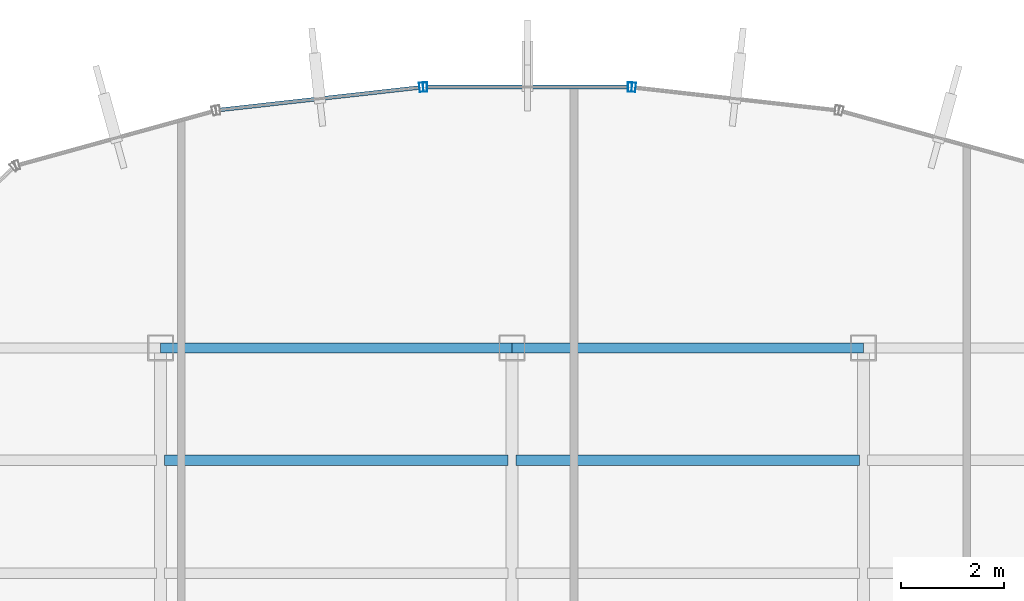
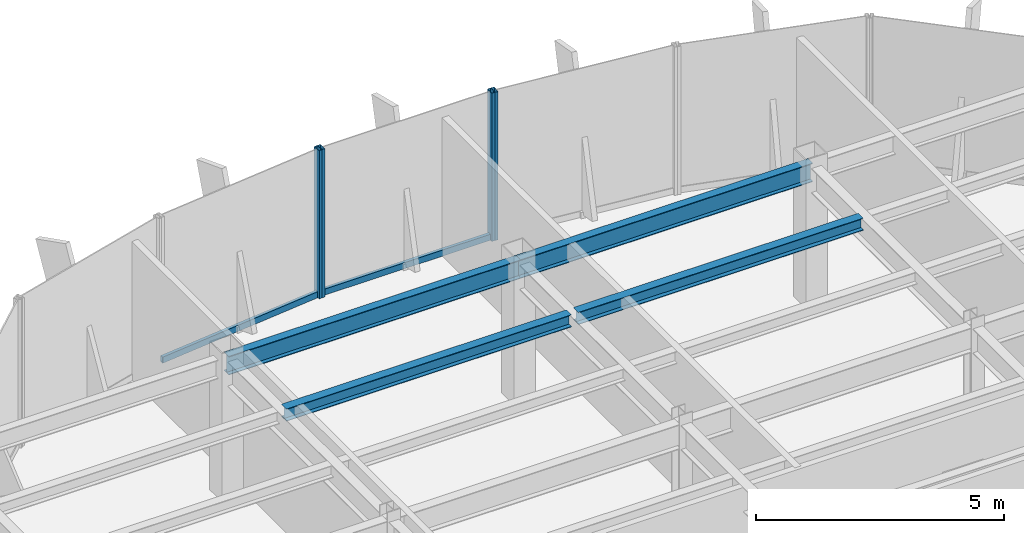
# One storey, part 13 of 22: 6 members, 4 beams, 3 elements without a shape of their own.
"""IFC4 building model written with IfcOpenShell, lengths in metres."""

from ifc_helpers import new_model, si_unit, derived_unit, direction, frame, origin, origin_2d, place, context, subcontext, project, spatial, hollow_rectangle, i_section, extrude, source, transform, mapped, material, material_profile, profile_set, type_object, element, aggregate, save


model = new_model("IFC4")

# Units and contexts
model_context = context("Model", 3, precision=1e-05, world=origin(), true_north=direction((0.0, 1.0)))
body_context = subcontext(model_context, "Body", "Model", "MODEL_VIEW")
ifc_project = project(units=[si_unit("LENGTHUNIT", "METRE"), si_unit("AREAUNIT", "SQUARE_METRE"), si_unit("VOLUMEUNIT", "CUBIC_METRE"), si_unit("PLANEANGLEUNIT", "RADIAN"), si_unit("MASSUNIT", "GRAM", prefix="KILO"), derived_unit("THERMALTRANSMITTANCEUNIT", [(si_unit("POWERUNIT", "WATT"), 1), (si_unit("LENGTHUNIT", "METRE"), -2), (si_unit("THERMODYNAMICTEMPERATUREUNIT", "KELVIN"), -1)])], contexts=[model_context])

# Site, building, storey
site_placement = place(None, origin())
site = spatial("IfcSite", under=ifc_project, at=site_placement, CompositionType="ELEMENT")
building_placement = place(site_placement, origin())
building = spatial("IfcBuilding", under=site, at=building_placement, Name="Skarnbrae Concourse Arena and Tower", CompositionType="ELEMENT")
storey_placement = place(building_placement, frame((0.0, 0.0, 273.39990234375)))
storey = spatial("IfcBuildingStorey", under=building, at=storey_placement, Name="L71", CompositionType="ELEMENT", Elevation=273.39990234375)

# Beams
ifc_material_1 = material(Name="Steel CSA G40.21 350W", Category="steel")
ifc_material_profile_1 = material_profile(ifc_material_1, i_section(OverallWidth=0.19091796875, OverallDepth=0.4599609375, WebThickness=0.010009765625, FlangeThickness=0.01611328125, at=origin_2d()), Name="W460X82")
ifc_profile_set_1 = profile_set([ifc_material_profile_1], Name="Steel CSA G40.21 350W")
beam_type_1 = type_object("IfcBeamType", Name="BM-SPAN-W460X82", PredefinedType="SPANDREL", material=ifc_profile_set_1)
shared_shape_1 = source(origin(), body_context, "Body", "SweptSolid", [
    extrude(i_section(OverallWidth=0.19091796875, OverallDepth=0.4599609375, WebThickness=0.010009765625, FlangeThickness=0.01611328125, at=origin_2d()), origin(), (0.0, 0.0, 1.0), 6.800048828125),
])
for number, where, z_axis, x_axis, name in (
    (1, (14.39990234375, 34.39990234375, 3.170166015625), (1.0, 0.0, 0.0), (0.0, 1.0, 0.0), "L71 Perimeter spandrel Y34.4-2"),
    (2, (21.199951171875, 34.39990234375, 3.170166015625), (1.0, 0.0, 0.0), (0.0, 1.0, 0.0), "L71 Perimeter spandrel Y34.4-3"),
):
    element("IfcBeam", number, at=place(storey_placement, frame(where, z_axis=z_axis, x_axis=x_axis)), inside=storey, type_object=beam_type_1, Name=name, PredefinedType="SPANDREL", context=body_context, shape_type="MappedRepresentation", body=[
        mapped(shared_shape_1, transform((0.0, 0.0, 0.0))),
    ])
ifc_material_profile_2 = material_profile(ifc_material_1, i_section(OverallWidth=0.202880859375, OverallDepth=0.302978515625, WebThickness=0.007568359375, FlangeThickness=0.01318359375, at=origin_2d()), Name="W310X60")
ifc_profile_set_2 = profile_set([ifc_material_profile_2], Name="Steel CSA G40.21 350W")
beam_type_2 = type_object("IfcBeamType", Name="BM-JOIST-W310X60", PredefinedType="JOIST", material=ifc_profile_set_2)
shared_shape_2 = source(origin(), body_context, "Body", "SweptSolid", [
    extrude(i_section(OverallWidth=0.202880859375, OverallDepth=0.302978515625, WebThickness=0.007568359375, FlangeThickness=0.01318359375, at=origin_2d()), origin(), (0.0, 0.0, 1.0), 6.64013671875),
])
beam_1_placement = place(storey_placement, frame((14.47998046875, 32.221923828125, 3.24853515625), z_axis=(1.0, 0.0, 0.0), x_axis=(0.0, 1.0, 0.0)))
element("IfcBeam", 3, at=beam_1_placement, inside=storey, type_object=beam_type_2, Name="L71 Secondary floor joist 3.2.2", PredefinedType="JOIST", context=body_context, shape_type="MappedRepresentation", body=[
    mapped(shared_shape_2, transform((0.0, 0.0, 0.0))),
])
shared_shape_3 = source(origin(), body_context, "Body", "SweptSolid", [
    extrude(i_section(OverallWidth=0.202880859375, OverallDepth=0.302978515625, WebThickness=0.007568359375, FlangeThickness=0.01318359375, at=origin_2d()), origin(), (0.0, 0.0, 1.0), 6.639892578125),
])
beam_2_placement = place(storey_placement, frame((21.280029296875, 32.221923828125, 3.24853515625), z_axis=(1.0, 0.0, 0.0), x_axis=(0.0, 1.0, 0.0)))
element("IfcBeam", 4, at=beam_2_placement, inside=storey, type_object=beam_type_2, Name="L71 Secondary floor joist 3.2.3", PredefinedType="JOIST", context=body_context, shape_type="MappedRepresentation", body=[
    mapped(shared_shape_3, transform((0.0, 0.0, 0.0))),
])

# Curtain wall, member
ifc_material_2 = material(Name="Bronze anodised aluminium 6063-T6", Category="aluminium")
curtain_wall_type = type_object("IfcCurtainWallType", Name="CW-SYS-05-HIGHZONE", PredefinedType="USERDEFINED", material=ifc_material_2)
curtain_wall_1_placement = place(storey_placement, origin())
curtain_wall_1 = element("IfcCurtainWall", 5, at=curtain_wall_1_placement, inside=storey, type_object=curtain_wall_type, Name="L71 Unitised curtain wall CW-L71-E12", ObjectType="UNITISED CURTAIN WALL", PredefinedType="USERDEFINED")
ifc_material_profile_3 = material_profile(ifc_material_2, hollow_rectangle(XDim=0.074951171875, YDim=0.14990234375, WallThickness=0.00390625, at=origin_2d()), Name="ALU-TRAN-75X150")
ifc_profile_set_3 = profile_set([ifc_material_profile_3], Name="Bronze anodised aluminium 6063-T6")
member_type_1 = type_object("IfcMemberType", Name="CWT-CW-05", PredefinedType="USERDEFINED", material=ifc_profile_set_3)
shared_shape_4 = source(origin(), body_context, "Body", "SweptSolid", [
    extrude(hollow_rectangle(XDim=0.074951171875, YDim=0.14990234375, WallThickness=0.00390625, at=origin_2d()), origin(), (0.0, 0.0, 1.0), 3.8837890625),
])
member_1_placement = place(storey_placement, frame((19.408203125, 39.438232421875, 0.0751953125), z_axis=(-0.993776714154, -0.111390495128, 0.0), x_axis=(0.111390495128, -0.993776714154, 0.0)))
member_1 = element("IfcMember", 6, at=member_1_placement, type_object=member_type_1, Name="CW-L71-E12 Transom 1", ObjectType="TRANSOM", PredefinedType="USERDEFINED", context=body_context, shape_type="MappedRepresentation", body=[
    mapped(shared_shape_4, transform((0.0, 0.0, 0.0))),
])

curtain_wall_2_placement = place(storey_placement, origin())
curtain_wall_2 = element("IfcCurtainWall", 7, at=curtain_wall_2_placement, inside=storey, type_object=curtain_wall_type, Name="L71 Unitised curtain wall CW-L71-E11", ObjectType="UNITISED CURTAIN WALL", PredefinedType="USERDEFINED")
shared_shape_5 = source(origin(), body_context, "Body", "SweptSolid", [
    extrude(hollow_rectangle(XDim=0.074951171875, YDim=0.14990234375, WallThickness=0.00390625, at=origin_2d()), origin(), (0.0, 0.0, 1.0), 3.88427734375),
])
member_2_placement = place(storey_placement, frame((23.442138671875, 39.44677734375, 0.0751953125), z_axis=(-1.0, 0.0, 0.0), x_axis=(0.0, -1.0, 0.0)))
member_2 = element("IfcMember", 8, at=member_2_placement, type_object=member_type_1, Name="CW-L71-E11 Transom 1", ObjectType="TRANSOM", PredefinedType="USERDEFINED", context=body_context, shape_type="MappedRepresentation", body=[
    mapped(shared_shape_5, transform((0.0, 0.0, 0.0))),
])

curtain_wall_3_placement = place(storey_placement, origin())
curtain_wall_3 = element("IfcCurtainWall", 9, at=curtain_wall_3_placement, inside=storey, type_object=curtain_wall_type, Name="L71 Unitised curtain wall CW-L71-E10", ObjectType="UNITISED CURTAIN WALL", PredefinedType="USERDEFINED")
ifc_material_profile_4 = material_profile(ifc_material_2, hollow_rectangle(XDim=0.074951171875, YDim=0.179931640625, WallThickness=0.00390625, at=origin_2d()), Name="ALU-MULL-75X180")
ifc_profile_set_4 = profile_set([ifc_material_profile_4], Name="Bronze anodised aluminium 6063-T6")
member_type_2 = type_object("IfcMemberType", Name="CWM-CW-05", PredefinedType="MULLION", material=ifc_profile_set_4)
shared_shape_6 = source(origin(), body_context, "Body", "SweptSolid", [
    extrude(hollow_rectangle(XDim=0.074951171875, YDim=0.179931640625, WallThickness=0.00390625, at=origin_2d()), origin(), (0.0, 0.0, 1.0), 3.650146484375),
])
member_3_placement = place(storey_placement, frame((23.554443359375, 39.4423828125, 0.0), z_axis=(0.0, 0.0, 1.0), x_axis=(-0.993768891873, 0.111460259941, 0.0)))
member_3 = element("IfcMember", 10, at=member_3_placement, type_object=member_type_2, Name="CW-L71-E10 Mullion 2", PredefinedType="MULLION", context=body_context, shape_type="MappedRepresentation", body=[
    mapped(shared_shape_6, transform((0.0, 0.0, 0.0))),
])
aggregate(curtain_wall_3, [member_3])

# Member
member_4_placement = place(storey_placement, frame((23.479736328125, 39.44677734375, 0.0), z_axis=(0.0, 0.0, 1.0), x_axis=(-1.0, 0.0, 0.0)))
member_4 = element("IfcMember", 11, at=member_4_placement, type_object=member_type_2, Name="CW-L71-E11 Mullion 1", PredefinedType="MULLION", context=body_context, shape_type="MappedRepresentation", body=[
    mapped(shared_shape_6, transform((0.0, 0.0, 0.0))),
])

member_5_placement = place(storey_placement, frame((19.520263671875, 39.44677734375, 0.0), z_axis=(0.0, 0.0, 1.0), x_axis=(-1.0, 0.0, 0.0)))
member_5 = element("IfcMember", 12, at=member_5_placement, type_object=member_type_2, Name="CW-L71-E11 Mullion 2", PredefinedType="MULLION", context=body_context, shape_type="MappedRepresentation", body=[
    mapped(shared_shape_6, transform((0.0, 0.0, 0.0))),
])

aggregate(curtain_wall_2, [member_4, member_5, member_2])

member_6_placement = place(storey_placement, frame((19.445556640625, 39.4423828125, 0.0), z_axis=(0.0, 0.0, 1.0), x_axis=(-0.993768891873, -0.111460259941, 0.0)))
member_6 = element("IfcMember", 13, at=member_6_placement, type_object=member_type_2, Name="CW-L71-E12 Mullion 1", PredefinedType="MULLION", context=body_context, shape_type="MappedRepresentation", body=[
    mapped(shared_shape_6, transform((0.0, 0.0, 0.0))),
])

aggregate(curtain_wall_1, [member_6, member_1])

save(model, "model.ifc")
